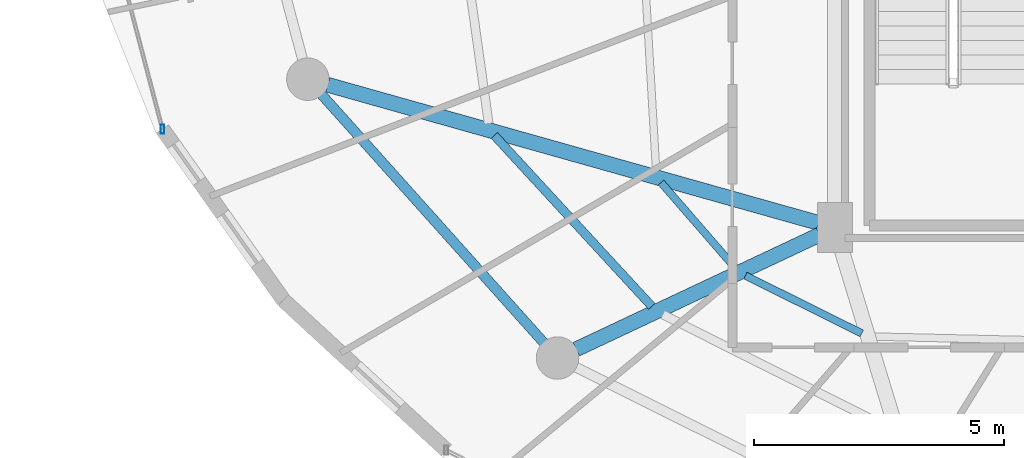
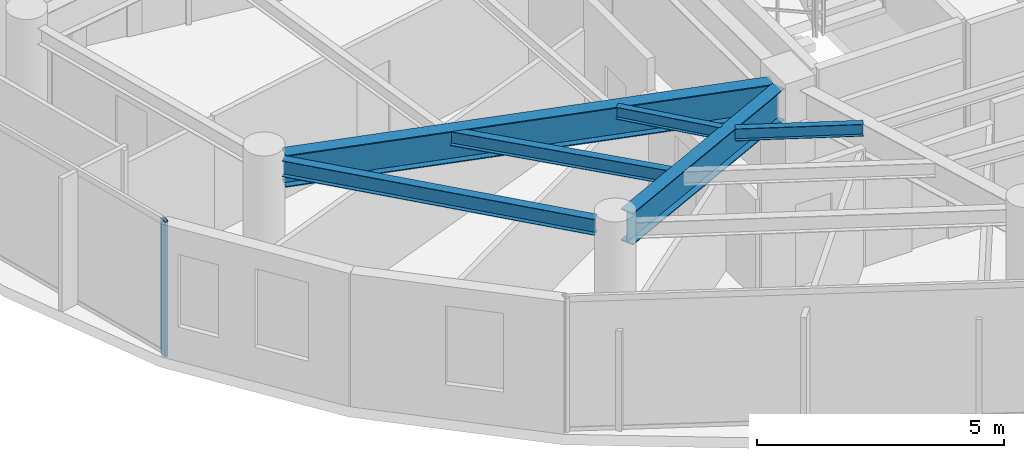
# One storey, part 3 of 30: 6 beams, 1 member, 1 element without a shape of its own.
"""IFC4 building model written with IfcOpenShell, lengths in metres."""

from ifc_helpers import new_model, si_unit, direction, frame, origin, origin_2d, place, context, subcontext, project, spatial, hollow_rectangle, i_section, extrude, material, material_profile, profile_set, type_object, element, aggregate, save


model = new_model("IFC4")

# Units and contexts
model_context = context("Model", 3, precision=1e-05, world=origin(), true_north=direction((0.0, 1.0)))
body_context = subcontext(model_context, "Body", "Model", "MODEL_VIEW")
ifc_project = project(units=[si_unit("LENGTHUNIT", "METRE"), si_unit("AREAUNIT", "SQUARE_METRE"), si_unit("VOLUMEUNIT", "CUBIC_METRE"), si_unit("PLANEANGLEUNIT", "RADIAN"), si_unit("MASSUNIT", "GRAM", prefix="KILO")], contexts=[model_context])

# Site, building, storey
site_placement = place(None, origin())
site = spatial("IfcSite", under=ifc_project, at=site_placement, CompositionType="ELEMENT")
building_placement = place(site_placement, origin())
building = spatial("IfcBuilding", under=site, at=building_placement, Name="Vorneva Point Tower", CompositionType="ELEMENT")
storey_placement = place(building_placement, frame((0.0, 0.0, 234.25)))
storey = spatial("IfcBuildingStorey", under=building, at=storey_placement, Name="L63", CompositionType="ELEMENT", Elevation=234.25)

# Beams
ifc_material_1 = material(Name="Steel S355", Category="steel")
ifc_material_profile_1 = material_profile(ifc_material_1, i_section(OverallWidth=0.300048828125, OverallDepth=0.7880859375, WebThickness=0.014404296875, FlangeThickness=0.02197265625, at=origin_2d()), Name="80Sh1")
ifc_profile_set_1 = profile_set([ifc_material_profile_1], Name="Steel S355")
beam_type_1 = type_object("IfcBeamType", Name="BM-GRD-80Sh1", PredefinedType="USERDEFINED", material=ifc_profile_set_1)
beam_1_placement = place(storey_placement, frame((17.102294921875, 19.305908203125, 2.89599609375), z_axis=(0.962601026021, -0.270922986664, 0.0), x_axis=(0.270922986664, 0.962601026021, 0.0)))
element("IfcBeam", 1, at=beam_1_placement, inside=storey, type_object=beam_type_1, Name="L63 Radial Primary Girder 10", ObjectType="GIRDER", PredefinedType="USERDEFINED", context=body_context, shape_type="SweptSolid", body=[
    extrude(i_section(OverallWidth=0.300048828125, OverallDepth=0.7880859375, WebThickness=0.014404296875, FlangeThickness=0.02197265625, at=origin_2d()), origin(), (0.0, 0.0, 1.0), 10.201904296875),
])
beam_2_placement = place(storey_placement, frame((22.074951171875, 14.013671875, 2.89599609375), z_axis=(0.904750812805, 0.425941271455, 0.0), x_axis=(-0.425941271455, 0.904750812805, 0.0)))
element("IfcBeam", 2, at=beam_2_placement, inside=storey, type_object=beam_type_1, Name="L63 Radial Primary Girder 11", ObjectType="GIRDER", PredefinedType="USERDEFINED", context=body_context, shape_type="SweptSolid", body=[
    extrude(i_section(OverallWidth=0.300048828125, OverallDepth=0.7880859375, WebThickness=0.014404296875, FlangeThickness=0.02197265625, at=origin_2d()), origin(), (0.0, 0.0, 1.0), 5.3798828125),
])
ifc_material_profile_2 = material_profile(ifc_material_1, i_section(OverallWidth=0.14892578125, OverallDepth=0.298095703125, WebThickness=0.005615234375, FlangeThickness=0.008056640625, at=origin_2d()), Name="30B1")
ifc_profile_set_2 = profile_set([ifc_material_profile_2], Name="Steel S355")
beam_type_2 = type_object("IfcBeamType", Name="BM-JST-30B1", PredefinedType="JOIST", material=ifc_profile_set_2)
beam_3_placement = place(storey_placement, frame((23.7724609375, 17.35009765625, 3.14111328125), z_axis=(0.655592112654, -0.755115210962, 0.0), x_axis=(0.755115210962, 0.655592112654, 0.0)))
element("IfcBeam", 3, at=beam_3_placement, inside=storey, type_object=beam_type_2, Name="L63 Secondary Floor Beam 2.10", PredefinedType="JOIST", context=body_context, shape_type="SweptSolid", body=[
    extrude(i_section(OverallWidth=0.14892578125, OverallDepth=0.298095703125, WebThickness=0.005615234375, FlangeThickness=0.008056640625, at=origin_2d()), origin(), (0.0, 0.0, 1.0), 2.2470703125),
])
beam_4_placement = place(storey_placement, frame((25.459716796875, 15.48779296875, 3.14111328125), z_axis=(0.895737278739, -0.444583768796, 0.0), x_axis=(0.444583768796, 0.895737278739, 0.0)))
element("IfcBeam", 4, at=beam_4_placement, inside=storey, type_object=beam_type_2, Name="L63 Secondary Floor Beam 2.11", PredefinedType="JOIST", context=body_context, shape_type="SweptSolid", body=[
    extrude(i_section(OverallWidth=0.14892578125, OverallDepth=0.298095703125, WebThickness=0.005615234375, FlangeThickness=0.008056640625, at=origin_2d()), origin(), (0.0, 0.0, 1.0), 2.601318359375),
])
ifc_material_profile_3 = material_profile(ifc_material_1, i_section(OverallWidth=0.174072265625, OverallDepth=0.345947265625, WebThickness=0.006103515625, FlangeThickness=0.009033203125, at=origin_2d()), Name="35B1")
ifc_profile_set_3 = profile_set([ifc_material_profile_3], Name="Steel S355")
beam_type_3 = type_object("IfcBeamType", Name="BM-SEC-35B1", PredefinedType="BEAM", material=ifc_profile_set_3)
beam_5_placement = place(storey_placement, frame((20.4365234375, 18.292236328125, 3.116943359375), z_axis=(0.677510132228, -0.735513440209, 0.0), x_axis=(0.735513440209, 0.677510132228, 0.0)))
element("IfcBeam", 5, at=beam_5_placement, inside=storey, type_object=beam_type_3, Name="L63 Secondary Floor Beam 1.10", PredefinedType="BEAM", context=body_context, shape_type="SweptSolid", body=[
    extrude(i_section(OverallWidth=0.174072265625, OverallDepth=0.345947265625, WebThickness=0.006103515625, FlangeThickness=0.009033203125, at=origin_2d()), origin(), (0.0, 0.0, 1.0), 4.651123046875),
])
ifc_material_profile_4 = material_profile(ifc_material_1, i_section(OverallWidth=0.198974609375, OverallDepth=0.39599609375, WebThickness=0.007080078125, FlangeThickness=0.010986328125, at=origin_2d()), Name="40B1")
ifc_profile_set_4 = profile_set([ifc_material_profile_4], Name="Steel S355")
beam_type_4 = type_object("IfcBeamType", Name="BM-SPN-40B1", PredefinedType="SPANDREL", material=ifc_profile_set_4)
beam_6_placement = place(storey_placement, frame((16.97802734375, 19.1123046875, 3.092041015625), z_axis=(0.667108282638, -0.744960763554, 0.0), x_axis=(0.744960763554, 0.667108282638, 0.0)))
element("IfcBeam", 6, at=beam_6_placement, inside=storey, type_object=beam_type_4, Name="L63 Perimeter Spandrel Ring Beam 10", PredefinedType="SPANDREL", context=body_context, shape_type="SweptSolid", body=[
    extrude(i_section(OverallWidth=0.198974609375, OverallDepth=0.39599609375, WebThickness=0.007080078125, FlangeThickness=0.010986328125, at=origin_2d()), origin(), (0.0, 0.0, 1.0), 6.670166015625),
])

# Curtain wall, member
ifc_material_2 = material(Name="Pale anodised aluminium", Category="aluminium")
curtain_wall_type = type_object("IfcCurtainWallType", Name="CW-RES-SYS", PredefinedType="NOTDEFINED", material=ifc_material_2)
curtain_wall_placement = place(storey_placement, origin())
curtain_wall = element("IfcCurtainWall", 7, at=curtain_wall_placement, inside=storey, type_object=curtain_wall_type, Name="L63 Unitised Curtain Wall CW-L63-R03", PredefinedType="NOTDEFINED")
ifc_material_profile_5 = material_profile(ifc_material_2, hollow_rectangle(XDim=0.074951171875, YDim=0.179931640625, WallThickness=0.00390625, at=origin_2d()), Name="AL-MUL 180x75x4")
ifc_profile_set_5 = profile_set([ifc_material_profile_5], Name="Pale anodised aluminium")
member_type = type_object("IfcMemberType", Name="CW-MUL-180", PredefinedType="MULLION", material=ifc_profile_set_5)
member_placement = place(storey_placement, frame((13.79443359375, 18.4189453125, -0.0400390625), z_axis=(0.0, 0.0, 1.0), x_axis=(1.0, 0.0, 0.0)))
member = element("IfcMember", 8, at=member_placement, type_object=member_type, Name="CW-L63-R03 Mullion 02", PredefinedType="MULLION", context=body_context, shape_type="SweptSolid", body=[
    extrude(hollow_rectangle(XDim=0.074951171875, YDim=0.179931640625, WallThickness=0.00390625, at=origin_2d()), origin(), (0.0, 0.0, 1.0), 3.360107421875),
])
aggregate(curtain_wall, [member])

save(model, "model.ifc")
